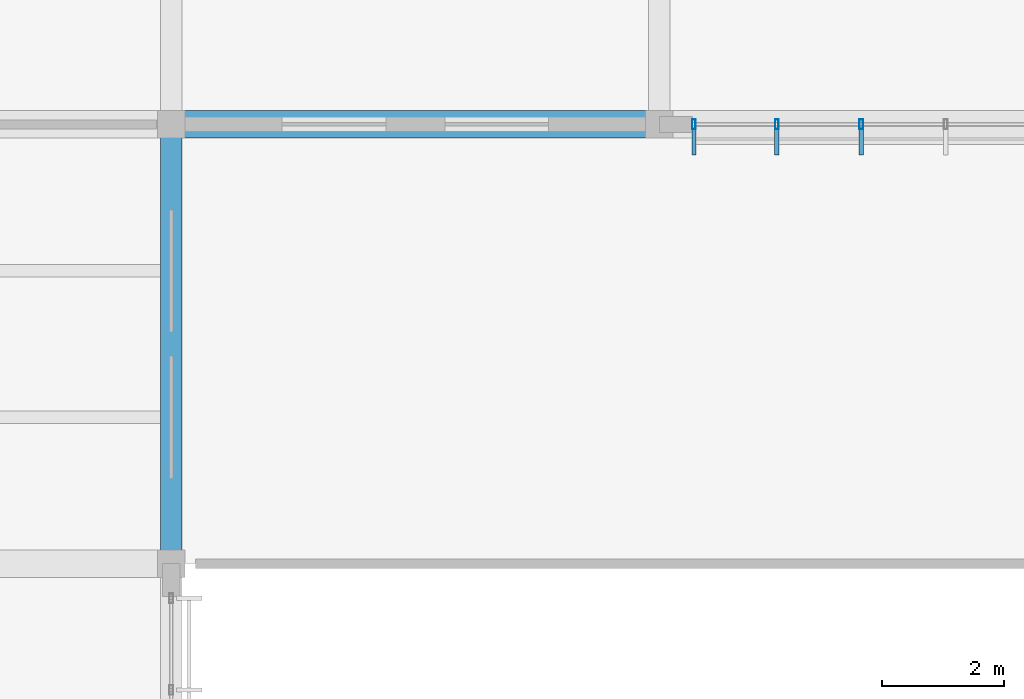
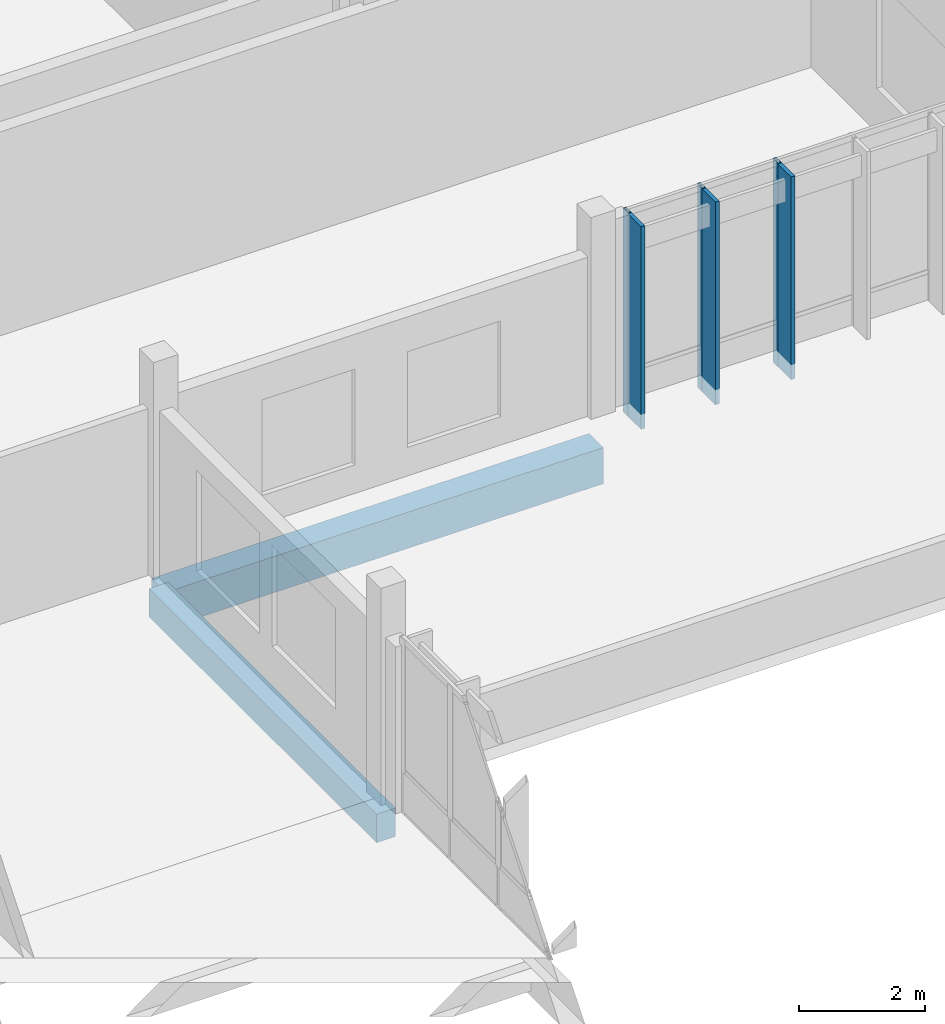
# One storey, part 75 of 182: 6 members, 2 beams, 1 element without a shape of its own.
"""IFC4 building model written with IfcOpenShell, lengths in metres."""

import ifcopenshell
import ifcopenshell.guid

model = None  # the IFC model being written
_history = None  # IfcOwnerHistory: only IFC2X3 demands one
_inside = {}  # id of a spatial element -> (the spatial element, [elements in it])
_under = {}  # id of a project, library or spatial element -> (it, [spatial elements below it])
_declared = {}  # id of a project -> (the project, [libraries it declares])
_typed = {}  # id of a type object -> (the type object, [elements of that type])
_made_of = {}  # id of a material, layer set ... -> (it, [elements and type objects made of it])


def new_model(schema):
    """Start an empty IFC model of exactly this schema.

    Asked for "IFC4X3", IfcOpenShell would pick the latest addendum, in which some entities
    have other attributes; the version numbers below select the first issue.
    IFC2X3 requires an IfcOwnerHistory on every rooted entity: one is made here for all.
    """
    global model, _history
    if schema == "IFC4X3":
        model = ifcopenshell.file(schema_version=(4, 3, 0, 0))
    else:
        model = ifcopenshell.file(schema=schema)
    _inside.clear()
    _under.clear()
    _declared.clear()
    _typed.clear()
    _made_of.clear()
    _history = None
    if model.schema == "IFC2X3":
        org = make("IfcOrganization", Name="unknown")
        user = make(
            "IfcPersonAndOrganization",
            ThePerson=make("IfcPerson", FamilyName="unknown"),
            TheOrganization=org,
        )
        app = make(
            "IfcApplication",
            ApplicationDeveloper=org,
            Version="unknown",
            ApplicationFullName="unknown",
            ApplicationIdentifier="unknown",
        )
        _history = make(
            "IfcOwnerHistory",
            OwningUser=user,
            OwningApplication=app,
            ChangeAction="ADDED",
            CreationDate=0,
        )
    return model


def make(cls, **values):
    """One entity of the class cls with the attributes given. An attribute that is None is left unset."""
    return model.create_entity(
        cls, **{name: value for name, value in values.items() if value is not None}
    )


def rooted(cls, **values):
    """An entity with a GlobalId (a new one), such as an element, a storey or a relation."""
    return make(cls, GlobalId=ifcopenshell.guid.new(), OwnerHistory=_history, **values)


def si_unit(unit_type, name, prefix=None):
    """IfcSIUnit, for example si_unit("LENGTHUNIT", "METRE", prefix="MILLI")."""
    return make("IfcSIUnit", UnitType=unit_type, Prefix=prefix, Name=name)


def assignment(units):
    """IfcUnitAssignment: the units of a project."""
    return None if units is None else make("IfcUnitAssignment", Units=units)


def point(xyz):
    """IfcCartesianPoint."""
    return None if xyz is None else make("IfcCartesianPoint", Coordinates=xyz)


def direction(xyz):
    """IfcDirection."""
    return None if xyz is None else make("IfcDirection", DirectionRatios=xyz)


def frame(location, z_axis=None, x_axis=None):
    """IfcAxis2Placement3D, a coordinate frame: its origin and axes. An axis left out is left unset."""
    return make(
        "IfcAxis2Placement3D",
        Location=point(location),
        Axis=direction(z_axis),
        RefDirection=direction(x_axis),
    )


def frame_2d(location, x_axis=None):
    """IfcAxis2Placement2D, a coordinate frame in the plane: its origin and x axis."""
    return make(
        "IfcAxis2Placement2D", Location=point(location), RefDirection=direction(x_axis)
    )


def origin():
    """The frame at (0, 0, 0) with its axes left unset."""
    return frame((0.0, 0.0, 0.0))


def origin_2d():
    """The frame at (0, 0) in the plane with its x axis left unset."""
    return frame_2d((0.0, 0.0))


def place(relative_to, where):
    """IfcLocalPlacement: puts the frame where relative to a parent placement (None: the world)."""
    return make(
        "IfcLocalPlacement", PlacementRelTo=relative_to, RelativePlacement=where
    )


def context(
    kind, dimensions, precision=None, world=None, true_north=None, identifier=None
):
    """IfcGeometricRepresentationContext, for example the 3D "Model" context."""
    return make(
        "IfcGeometricRepresentationContext",
        ContextIdentifier=identifier,
        ContextType=kind,
        CoordinateSpaceDimension=dimensions,
        Precision=precision,
        WorldCoordinateSystem=world,
        TrueNorth=true_north,
    )


def subcontext(parent, identifier, kind, view, scale=None):
    """IfcGeometricRepresentationSubContext, for example "Body" below "Model"."""
    return make(
        "IfcGeometricRepresentationSubContext",
        ContextIdentifier=identifier,
        ContextType=kind,
        ParentContext=parent,
        TargetScale=scale,
        TargetView=view,
    )


def project(units=None, contexts=None):
    """IfcProject with its units and contexts."""
    return rooted(
        "IfcProject",
        Name="project",
        RepresentationContexts=contexts,
        UnitsInContext=assignment(units),
    )


def spatial(cls, under=None, at=None, **own):
    """A site, building, storey or space (cls), placed at a placement, below another one or the project."""
    s = rooted(cls, ObjectPlacement=at, **own)
    if under is not None:
        _under.setdefault(under.id(), (under, []))[1].append(s)
    return s


def profile(cls, at=None, kind="AREA", **sizes):
    """A parametric profile (cls). Its sizes go by their IFC names, for example OverallWidth=200.0."""
    return make(cls, ProfileType=kind, Position=at, **sizes)


def rectangle(**sizes):
    """IfcRectangleProfileDef."""
    return profile("IfcRectangleProfileDef", **sizes)


def hollow_rectangle(**sizes):
    """IfcRectangleHollowProfileDef."""
    return profile("IfcRectangleHollowProfileDef", **sizes)


def extrude(swept, where, along, depth):
    """IfcExtrudedAreaSolid: the profile swept, set in the frame where, extruded along a direction by depth."""
    return make(
        "IfcExtrudedAreaSolid",
        SweptArea=swept,
        Position=where,
        ExtrudedDirection=direction(along),
        Depth=depth,
    )


def shape(context_of_items, identifier, shape_type, items):
    """IfcShapeRepresentation: the items that make up one representation, for example the "Body"."""
    return make(
        "IfcShapeRepresentation",
        ContextOfItems=context_of_items,
        RepresentationIdentifier=identifier,
        RepresentationType=shape_type,
        Items=items,
    )


def material(Name=None, Category=None):
    """IfcMaterial."""
    return make("IfcMaterial", Name=Name, Category=Category)


def material_profile(
    of_material, cross_section, Name=None, Category=None, Priority=None
):
    """IfcMaterialProfile: a cross section and its material."""
    return make(
        "IfcMaterialProfile",
        Name=Name,
        Material=of_material,
        Profile=cross_section,
        Priority=Priority,
        Category=Category,
    )


def profile_set(profiles, Name=None, composite=None):
    """IfcMaterialProfileSet."""
    return make(
        "IfcMaterialProfileSet",
        Name=Name,
        MaterialProfiles=profiles,
        CompositeProfile=composite,
    )


def made_of(thing, what):
    """Note that an element or type object is made of a material, layer set ...; save() writes the relation."""
    if what is not None:
        _made_of.setdefault(what.id(), (what, []))[1].append(thing)
    return thing


def type_object(cls, material=None, **own):
    """A type object (cls), such as IfcWallType, which elements share."""
    return made_of(rooted(cls, **own), material)


def element(
    cls,
    number,
    at=None,
    inside=None,
    cuts=None,
    type_object=None,
    material=None,
    context=None,
    identifier="Body",
    shape_type=None,
    held_by="IfcProductDefinitionShape",
    body=None,
    shapes=None,
    **own,
):
    """One element of the class cls, such as IfcWall. Its Tag is "e" and its number.

    at: its placement. inside: the storey or other place that contains it. cuts: it is an
    opening in that element (IfcRelVoidsElement). A single representation is given by context,
    identifier, shape_type and body (its items); several are given by shapes. held_by: the class
    of the entity that holds the representations. save() writes the other relations.
    """
    e = rooted(cls, Tag="e%d" % number, ObjectPlacement=at, **own)
    if body is not None:
        shapes = [shape(context, identifier, shape_type, body)]
    if shapes is not None:
        e.Representation = make(held_by, Representations=shapes)
    if inside is not None:
        _inside.setdefault(inside.id(), (inside, []))[1].append(e)
    if cuts is not None:
        rooted(
            "IfcRelVoidsElement", RelatingBuildingElement=cuts, RelatedOpeningElement=e
        )
    if type_object is not None:
        _typed.setdefault(type_object.id(), (type_object, []))[1].append(e)
    return made_of(e, material)


def aggregate(whole, parts):
    """IfcRelAggregates: a whole, such as a stair, and the parts it consists of."""
    return rooted("IfcRelAggregates", RelatingObject=whole, RelatedObjects=parts)


def save(model, path):
    """Write the relations noted so far, then the file.

    IfcRelAggregates (storeys below a building ...), IfcRelContainedInSpatialStructure (elements
    in a storey), IfcRelDefinesByType, IfcRelAssociatesMaterial and IfcRelDeclares: one each for
    every whole, place, type object, material and project.
    """
    for whole, parts in _under.values():
        aggregate(whole, parts)
    for where, things in _inside.values():
        rooted(
            "IfcRelContainedInSpatialStructure",
            RelatedElements=things,
            RelatingStructure=where,
        )
    for kind, things in _typed.values():
        rooted("IfcRelDefinesByType", RelatedObjects=things, RelatingType=kind)
    for what, things in _made_of.values():
        rooted("IfcRelAssociatesMaterial", RelatedObjects=things, RelatingMaterial=what)
    for by, libraries in _declared.values():
        rooted("IfcRelDeclares", RelatingContext=by, RelatedDefinitions=libraries)
    model.write(path)


model = new_model("IFC4")

# Units and contexts
model_context = context("Model", 3, precision=1e-05, world=origin(), true_north=direction((0.0, 1.0)))
body_context = subcontext(model_context, "Body", "Model", "MODEL_VIEW")
ifc_project = project(units=[si_unit("LENGTHUNIT", "METRE"), si_unit("AREAUNIT", "SQUARE_METRE"), si_unit("VOLUMEUNIT", "CUBIC_METRE"), si_unit("PLANEANGLEUNIT", "RADIAN"), si_unit("MASSUNIT", "GRAM", prefix="KILO")], contexts=[model_context])

# Site, building, storey
site_placement = place(None, origin())
site = spatial("IfcSite", under=ifc_project, at=site_placement, CompositionType="ELEMENT")
building_placement = place(site_placement, origin())
building = spatial("IfcBuilding", under=site, at=building_placement, Name="Chiffa Square Polytechnic", CompositionType="ELEMENT")
storey_placement = place(building_placement, frame((0.0, 0.0, 9.60009765625)))
storey = spatial("IfcBuildingStorey", under=building, at=storey_placement, Name="L02", CompositionType="ELEMENT", Elevation=9.60009765625)

# Beams
ifc_material_1 = material(Name="Concrete C35/45", Category="concrete")
ifc_material_profile_1 = material_profile(ifc_material_1, rectangle(XDim=0.35009765625, YDim=0.550048828125, at=origin_2d()), Name="RC 350x550")
ifc_profile_set_1 = profile_set([ifc_material_profile_1], Name="Concrete C35/45")
beam_type_1 = type_object("IfcBeamType", Name="BM-RC-350X550", PredefinedType="BEAM", material=ifc_profile_set_1)
beam_1_placement = place(storey_placement, frame((32.0, 79.800048828125, -0.59521484375), z_axis=(0.0, 1.0, 0.0), x_axis=(-1.0, 0.0, 0.0)))
element("IfcBeam", 1, at=beam_1_placement, inside=storey, type_object=beam_type_1, Name="Primary floor girder BM-V6-L02-Y-0320-0798", PredefinedType="BEAM", context=body_context, shape_type="SweptSolid", body=[
    extrude(rectangle(XDim=0.35009765625, YDim=0.550048828125, at=origin_2d()), origin(), (0.0, 0.0, 1.0), 7.199951171875),
])
ifc_material_profile_2 = material_profile(ifc_material_1, rectangle(XDim=0.449951171875, YDim=0.699951171875, at=origin_2d()), Name="RC 450x700")
ifc_profile_set_2 = profile_set([ifc_material_profile_2], Name="Concrete C35/45")
beam_type_2 = type_object("IfcBeamType", Name="BM-RC-450X700", PredefinedType="BEAM", material=ifc_profile_set_2)
beam_2_placement = place(storey_placement, frame((32.0, 87.0, -0.670166015625), z_axis=(1.0, 0.0, 0.0), x_axis=(0.0, 1.0, 0.0)))
element("IfcBeam", 2, at=beam_2_placement, inside=storey, type_object=beam_type_2, Name="Primary floor girder BM-V6-L02-X-0320-0870", PredefinedType="BEAM", context=body_context, shape_type="SweptSolid", body=[
    extrude(rectangle(XDim=0.449951171875, YDim=0.699951171875, at=origin_2d()), origin(), (0.0, 0.0, 1.0), 8.0),
])

# Curtain wall, members
ifc_material_2 = material(Name="Aluminium EN AW-6060 T66 and glulam shading", Category="wood")
curtain_wall_type = type_object("IfcCurtainWallType", Name="CW-VERT-600X440", PredefinedType="USERDEFINED", material=ifc_material_2)
curtain_wall_placement = place(storey_placement, origin())
curtain_wall = element("IfcCurtainWall", 3, at=curtain_wall_placement, inside=storey, type_object=curtain_wall_type, Name="Curtain wall CW-V6-L02-265", ObjectType="CURTAIN WALL", PredefinedType="USERDEFINED")
ifc_material_3 = material(Name="Aluminium EN AW-6060 T66", Category="aluminium")
ifc_material_profile_3 = material_profile(ifc_material_3, hollow_rectangle(XDim=0.06005859375, YDim=0.159912109375, WallThickness=0.00390625, at=origin_2d()), Name="ALU 60x160x4")
ifc_profile_set_3 = profile_set([ifc_material_profile_3], Name="Aluminium EN AW-6060 T66")
member_type_1 = type_object("IfcMemberType", Name="CWM-ALU-65X150", PredefinedType="MULLION", material=ifc_profile_set_3)
member_1_placement = place(storey_placement, frame((40.56494140625, 87.0, 0.0), z_axis=(0.0, 0.0, 1.0), x_axis=(1.0, 0.0, 0.0)))
member_1 = element("IfcMember", 4, at=member_1_placement, type_object=member_type_1, Name="Curtain wall mullion CW-V6-L02-265-M00", PredefinedType="MULLION", context=body_context, shape_type="SweptSolid", body=[
    extrude(hollow_rectangle(XDim=0.06005859375, YDim=0.159912109375, WallThickness=0.00390625, at=origin_2d()), origin(), (0.0, 0.0, 1.0), 3.93994140625),
])
member_2_placement = place(storey_placement, frame((41.924072265625, 87.0, 0.0), z_axis=(0.0, 0.0, 1.0), x_axis=(1.0, 0.0, 0.0)))
member_2 = element("IfcMember", 5, at=member_2_placement, type_object=member_type_1, Name="Curtain wall mullion CW-V6-L02-265-M01", PredefinedType="MULLION", context=body_context, shape_type="SweptSolid", body=[
    extrude(hollow_rectangle(XDim=0.06005859375, YDim=0.159912109375, WallThickness=0.00390625, at=origin_2d()), origin(), (0.0, 0.0, 1.0), 3.93994140625),
])
member_3_placement = place(storey_placement, frame((43.30810546875, 87.0, 0.0), z_axis=(0.0, 0.0, 1.0), x_axis=(1.0, 0.0, 0.0)))
member_3 = element("IfcMember", 6, at=member_3_placement, type_object=member_type_1, Name="Curtain wall mullion CW-V6-L02-265-M02", PredefinedType="MULLION", context=body_context, shape_type="SweptSolid", body=[
    extrude(hollow_rectangle(XDim=0.06005859375, YDim=0.159912109375, WallThickness=0.00390625, at=origin_2d()), origin(), (0.0, 0.0, 1.0), 3.93994140625),
])
ifc_material_4 = material(Name="Glulam GL28h", Category="wood")
ifc_material_profile_4 = material_profile(ifc_material_4, rectangle(XDim=0.070068359375, YDim=0.419921875, at=origin_2d()), Name="GL28h 70x420")
ifc_profile_set_4 = profile_set([ifc_material_profile_4], Name="Glulam GL28h")
member_type_2 = type_object("IfcMemberType", Name="CWM-GL-70X420", PredefinedType="MULLION", material=ifc_profile_set_4)
member_4_placement = place(storey_placement, frame((40.56494140625, 86.7080078125, 0.010009765625), z_axis=(0.0, 0.0, 1.0), x_axis=(1.0, 0.0, 0.0)))
member_4 = element("IfcMember", 7, at=member_4_placement, type_object=member_type_2, Name="Exterior glulam solar fin CW-V6-L02-265-FN00", PredefinedType="MULLION", context=body_context, shape_type="SweptSolid", body=[
    extrude(rectangle(XDim=0.070068359375, YDim=0.419921875, at=origin_2d()), origin(), (0.0, 0.0, 1.0), 3.919921875),
])
member_5_placement = place(storey_placement, frame((41.924072265625, 86.7080078125, 0.010009765625), z_axis=(0.0, 0.0, 1.0), x_axis=(1.0, 0.0, 0.0)))
member_5 = element("IfcMember", 8, at=member_5_placement, type_object=member_type_2, Name="Exterior glulam solar fin CW-V6-L02-265-FN01", PredefinedType="MULLION", context=body_context, shape_type="SweptSolid", body=[
    extrude(rectangle(XDim=0.070068359375, YDim=0.419921875, at=origin_2d()), origin(), (0.0, 0.0, 1.0), 3.919921875),
])
member_6_placement = place(storey_placement, frame((43.30810546875, 86.7080078125, 0.010009765625), z_axis=(0.0, 0.0, 1.0), x_axis=(1.0, 0.0, 0.0)))
member_6 = element("IfcMember", 9, at=member_6_placement, type_object=member_type_2, Name="Exterior glulam solar fin CW-V6-L02-265-FN02", PredefinedType="MULLION", context=body_context, shape_type="SweptSolid", body=[
    extrude(rectangle(XDim=0.070068359375, YDim=0.419921875, at=origin_2d()), origin(), (0.0, 0.0, 1.0), 3.919921875),
])
aggregate(curtain_wall, [member_1, member_4, member_2, member_5, member_3, member_6])

save(model, "model.ifc")
